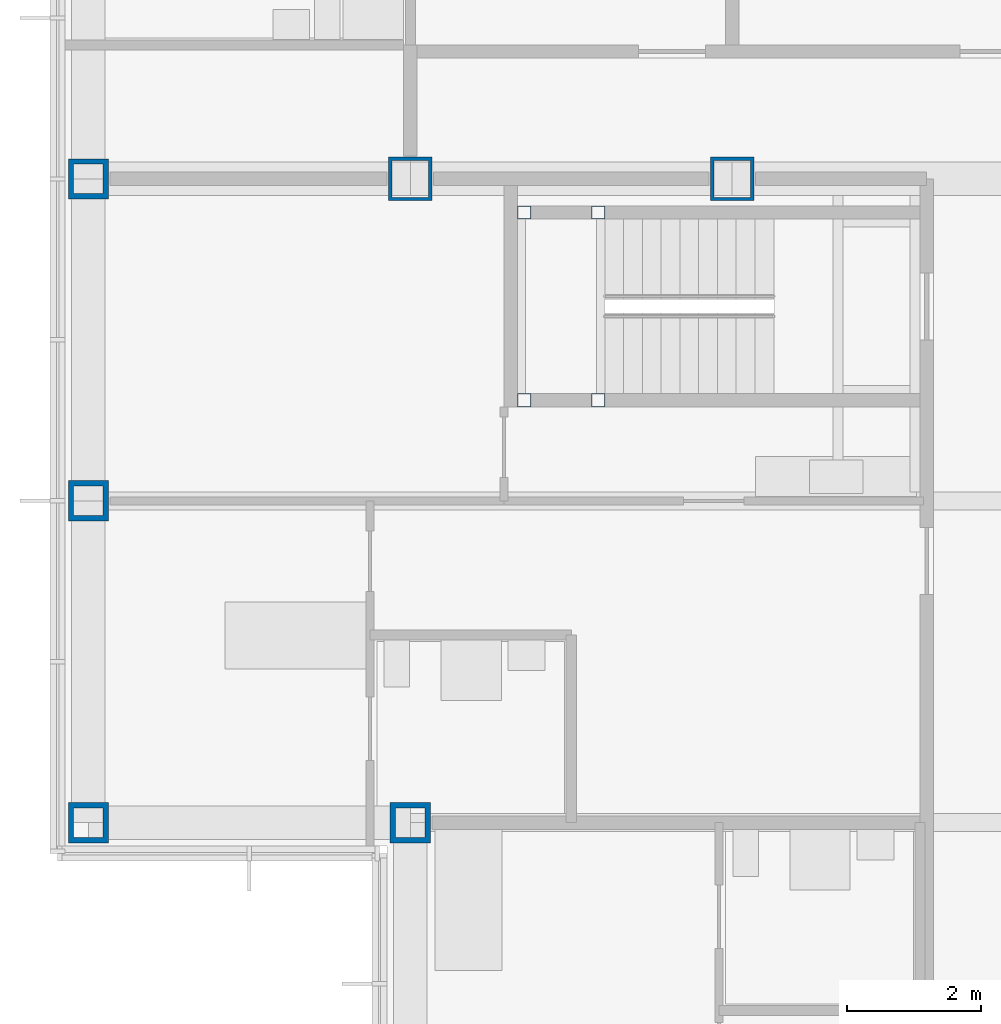
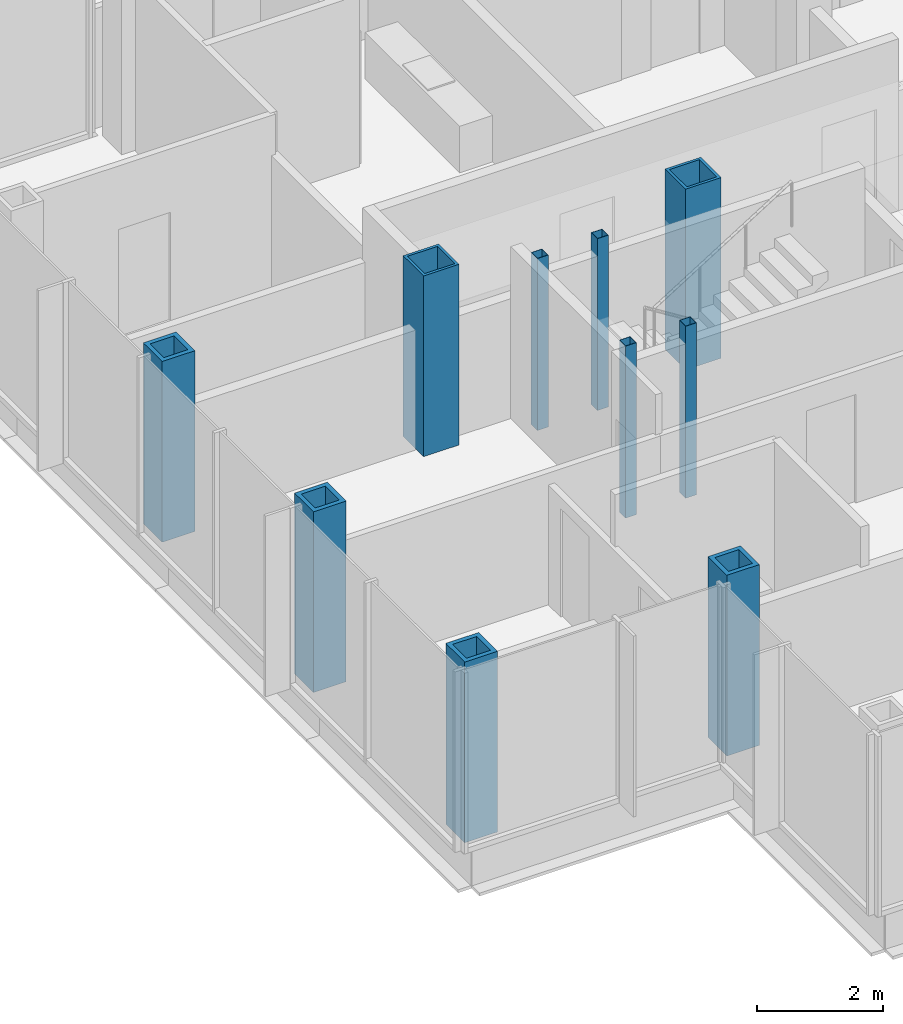
# One storey, part 3 of 20: 10 columns.
"""IFC4 building model written with IfcOpenShell, lengths in metres."""

from ifc_helpers import new_model, si_unit, direction, frame, origin, origin_2d, place, context, subcontext, project, spatial, hollow_rectangle, extrude, material, material_profile, profile_set, type_object, element, save


model = new_model("IFC4")

# Units and contexts
model_context = context("Model", 3, precision=1e-05, world=origin(), true_north=direction((0.0, 1.0)))
body_context = subcontext(model_context, "Body", "Model", "MODEL_VIEW")
ifc_project = project(units=[si_unit("LENGTHUNIT", "METRE"), si_unit("AREAUNIT", "SQUARE_METRE"), si_unit("VOLUMEUNIT", "CUBIC_METRE"), si_unit("PLANEANGLEUNIT", "RADIAN"), si_unit("MASSUNIT", "GRAM", prefix="KILO")], contexts=[model_context])

# Site, building, storey
site_placement = place(None, origin())
site = spatial("IfcSite", under=ifc_project, at=site_placement, CompositionType="ELEMENT")
building_placement = place(site_placement, origin())
building = spatial("IfcBuilding", under=site, at=building_placement, Name="Kvirike Care Tower", CompositionType="ELEMENT")
storey_placement = place(building_placement, frame((0.0, 0.0, 119.0)))
storey = spatial("IfcBuildingStorey", under=building, at=storey_placement, Name="L32", CompositionType="ELEMENT", Elevation=119.0)

# Columns
ifc_material_1 = material(Name="Steel S460", Category="steel")
ifc_material_profile_1 = material_profile(ifc_material_1, hollow_rectangle(XDim=0.60009765625, YDim=0.60009765625, WallThickness=0.080078125, at=origin_2d()), Name="BX 600x600x80")
ifc_profile_set_1 = profile_set([ifc_material_profile_1], Name="Steel S460")
column_type_1 = type_object("IfcColumnType", Name="COLUMN BX 600x600x80", PredefinedType="COLUMN", material=ifc_profile_set_1)
for number, where, z_axis, x_axis, name in (
    (1, (0.0, 33.60009765625, 0.0), (0.0, 0.0, 1.0), (0.0, 1.0, 0.0), "Column H3 L32"),
    (2, (0.0, 38.39990234375, 0.0), (0.0, 0.0, 1.0), (1.0, 0.0, 0.0), "Column J3 L32"),
    (3, (0.0, 43.199951171875, 0.0), (0.0, 0.0, 1.0), (0.0, 1.0, 0.0), "Column K3 L32"),
    (4, (4.800048828125, 33.60009765625, 0.0), (0.0, 0.0, 1.0), (0.0, 1.0, 0.0), "Column H4 L32"),
):
    element("IfcColumn", number, at=place(storey_placement, frame(where, z_axis=z_axis, x_axis=x_axis)), inside=storey, type_object=column_type_1, Name=name, PredefinedType="COLUMN", context=body_context, shape_type="SweptSolid", body=[
        extrude(hollow_rectangle(XDim=0.60009765625, YDim=0.60009765625, WallThickness=0.080078125, at=origin_2d()), origin(), (0.0, 0.0, 1.0), 3.5),
    ])
ifc_material_2 = material(Name="Steel S460", Category="steel")
ifc_material_profile_2 = material_profile(ifc_material_2, hollow_rectangle(XDim=0.64990234375, YDim=0.64990234375, WallThickness=0.050048828125, at=origin_2d()), Name="BX 650x650x50")
ifc_profile_set_2 = profile_set([ifc_material_profile_2], Name="Steel S460")
column_type_2 = type_object("IfcColumnType", Name="COLUMN BX 650x650x50", PredefinedType="COLUMN", material=ifc_profile_set_2)
for number, where, z_axis, x_axis, name in (
    (5, (4.800048828125, 43.199951171875, 0.0), (0.0, 0.0, 1.0), (0.0, 1.0, 0.0), "Column K4 L32"),
    (6, (9.60009765625, 43.199951171875, 0.0), (0.0, 0.0, 1.0), (0.0, 1.0, 0.0), "Column K5 L32"),
):
    element("IfcColumn", number, at=place(storey_placement, frame(where, z_axis=z_axis, x_axis=x_axis)), inside=storey, type_object=column_type_2, Name=name, PredefinedType="COLUMN", context=body_context, shape_type="SweptSolid", body=[
        extrude(hollow_rectangle(XDim=0.64990234375, YDim=0.64990234375, WallThickness=0.050048828125, at=origin_2d()), origin(), (0.0, 0.0, 1.0), 3.5),
    ])
ifc_material_3 = material(Name="Steel S460", Category="steel")
ifc_material_profile_3 = material_profile(ifc_material_3, hollow_rectangle(XDim=0.199951171875, YDim=0.199951171875, WallThickness=0.008056640625, at=origin_2d()), Name="SHS 200x200x8")
ifc_profile_set_3 = profile_set([ifc_material_profile_3], Name="Steel S460")
column_type_3 = type_object("IfcColumnType", Name="STAIR POST SHS 200x200x8", PredefinedType="COLUMN", material=ifc_profile_set_3)
for number, where, z_axis, x_axis, name in (
    (7, (6.5, 42.699951171875, 0.0), (0.0, 0.0, 1.0), (1.0, 0.0, 0.0), "Stair 1 post 1 L32"),
    (8, (6.5, 39.89990234375, 0.0), (0.0, 0.0, 1.0), (1.0, 0.0, 0.0), "Stair 1 post 2 L32"),
    (9, (7.60009765625, 42.699951171875, 0.0), (0.0, 0.0, 1.0), (1.0, 0.0, 0.0), "Stair 1 post 3 L32"),
    (10, (7.60009765625, 39.89990234375, 0.0), (0.0, 0.0, 1.0), (1.0, 0.0, 0.0), "Stair 1 post 4 L32"),
):
    element("IfcColumn", number, at=place(storey_placement, frame(where, z_axis=z_axis, x_axis=x_axis)), inside=storey, type_object=column_type_3, Name=name, PredefinedType="COLUMN", context=body_context, shape_type="SweptSolid", body=[
        extrude(hollow_rectangle(XDim=0.199951171875, YDim=0.199951171875, WallThickness=0.008056640625, at=origin_2d()), origin(), (0.0, 0.0, 1.0), 3.330078125),
    ])

save(model, "model.ifc")
